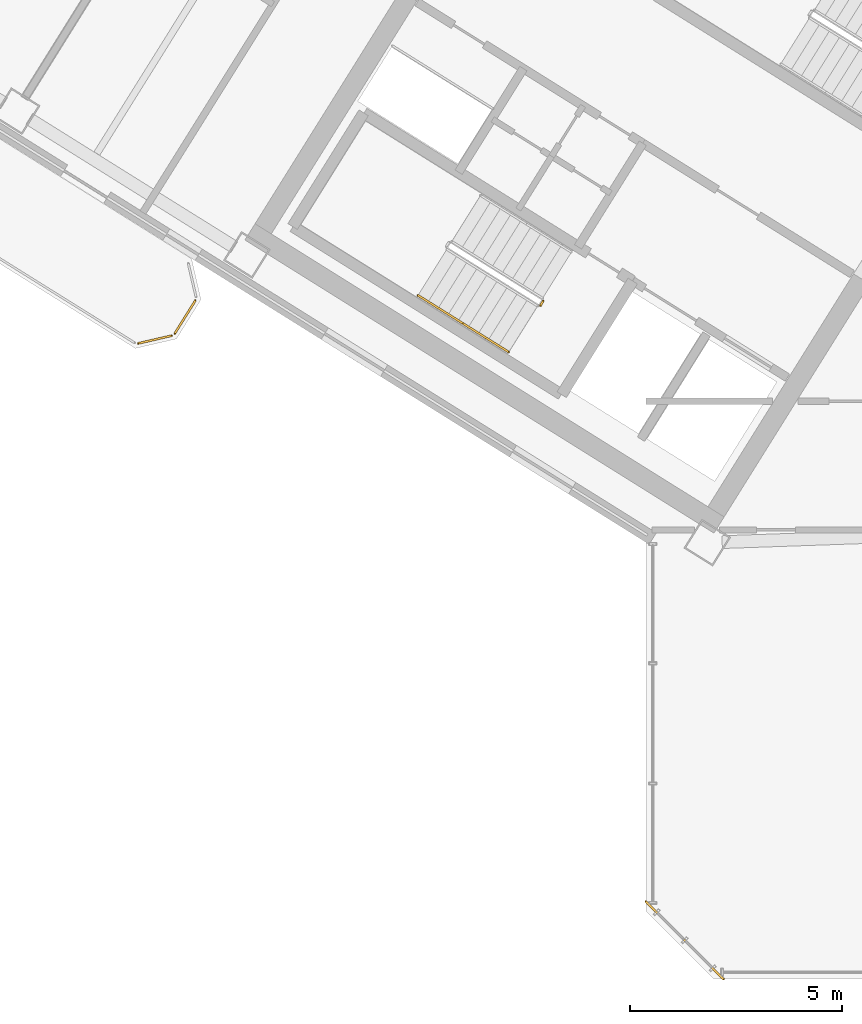
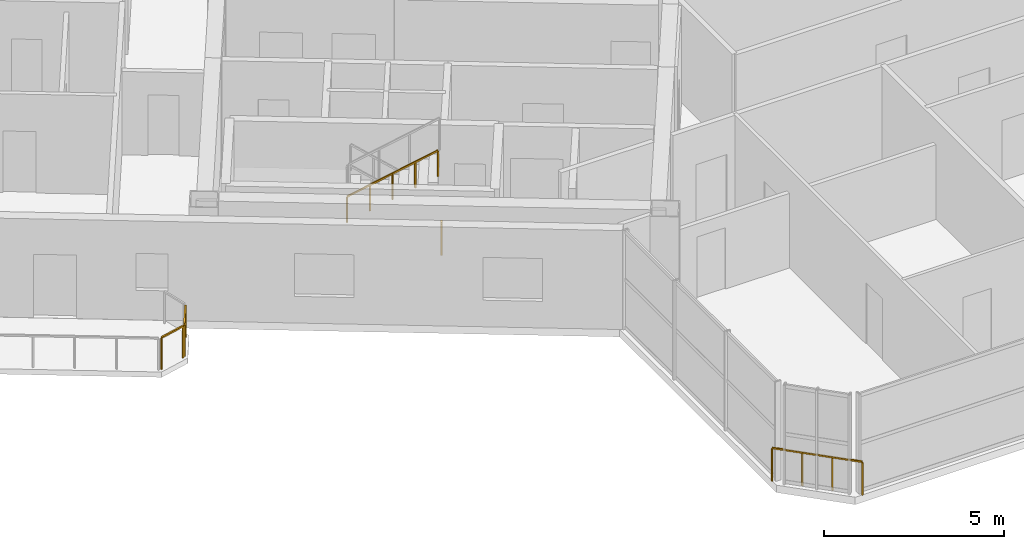
# One storey, part 17 of 21: 6 railings.
"""IFC4 building model written with IfcOpenShell, lengths in metres."""

from ifc_helpers import new_model, si_unit, direction, frame, origin, origin_2d, place, context, subcontext, project, spatial, rectangle, extrude, source, transform, mapped, material, type_object, element, save


model = new_model("IFC4")

# Units and contexts
model_context = context("Model", 3, precision=1e-05, world=origin(), true_north=direction((0.0, 1.0)))
body_context = subcontext(model_context, "Body", "Model", "MODEL_VIEW")
ifc_project = project(units=[si_unit("LENGTHUNIT", "METRE"), si_unit("AREAUNIT", "SQUARE_METRE"), si_unit("VOLUMEUNIT", "CUBIC_METRE"), si_unit("PLANEANGLEUNIT", "RADIAN"), si_unit("MASSUNIT", "GRAM", prefix="KILO")], contexts=[model_context])

# Site, building, storey
site_placement = place(None, origin())
site = spatial("IfcSite", under=ifc_project, at=site_placement, CompositionType="ELEMENT")
building_placement = place(site_placement, origin())
building = spatial("IfcBuilding", under=site, at=building_placement, Name="Tlacorven Tower", CompositionType="ELEMENT")
storey_placement = place(building_placement, frame((0.0, 0.0, 222.0)))
storey = spatial("IfcBuildingStorey", under=building, at=storey_placement, Name="L56", CompositionType="ELEMENT", Elevation=222.0)

# Railings
ifc_material = material(Name="Aluminium and painted steel balustrade", Category="steel")
railing_type_1 = type_object("IfcRailingType", Name="RL-BAL-1100", PredefinedType="BALUSTRADE", material=ifc_material)
shared_shape_1 = source(origin(), body_context, "Body", "SweptSolid", [
    extrude(rectangle(XDim=0.048095703125, YDim=0.048095703125, at=origin_2d()), frame((0.0, 0.0, 1.076171875), z_axis=(-0.52987865805, -0.848073468364, 0.0), x_axis=(0.848073468364, -0.52987865805, 0.0)), (0.0, 0.0, 1.0), 0.912353515625),
    extrude(rectangle(XDim=0.0419921875, YDim=0.0419921875, at=origin_2d()), origin(), (0.0, 0.0, 1.0), 1.052001953125),
    extrude(rectangle(XDim=0.0419921875, YDim=0.0419921875, at=origin_2d()), frame((-0.4833984375, -0.773681640625, 0.0)), (0.0, 0.0, 1.0), 1.052001953125),
])
railing_1_placement = place(storey_placement, frame((20.976318359375, 17.793701171875, 0.0)))
element("IfcRailing", 1, at=railing_1_placement, inside=storey, type_object=railing_type_1, Name="BAL-L56-W-OUT Guard Railing 2", PredefinedType="BALUSTRADE", context=body_context, shape_type="MappedRepresentation", body=[
    mapped(shared_shape_1, transform((0.0, 0.0, 0.0), scale=1.0)),
])
shared_shape_2 = source(origin(), body_context, "Body", "SweptSolid", [
    extrude(rectangle(XDim=0.048095703125, YDim=0.048095703125, at=origin_2d()), frame((0.0, 0.0, 1.076171875), z_axis=(-0.974345290916, -0.225058334816, 0.0), x_axis=(0.225058334816, -0.974345290916, 0.0)), (0.0, 0.0, 1.0), 0.80712890625),
    extrude(rectangle(XDim=0.0419921875, YDim=0.0419921875, at=origin_2d()), origin(), (0.0, 0.0, 1.0), 1.052001953125),
    extrude(rectangle(XDim=0.0419921875, YDim=0.0419921875, at=origin_2d()), frame((-0.786376953125, -0.181640625, 0.0)), (0.0, 0.0, 1.0), 1.052001953125),
])
railing_2_placement = place(storey_placement, frame((20.417724609375, 16.966552734375, 0.0)))
element("IfcRailing", 2, at=railing_2_placement, inside=storey, type_object=railing_type_1, Name="BAL-L56-W-OUT Guard Railing 3", PredefinedType="BALUSTRADE", context=body_context, shape_type="MappedRepresentation", body=[
    mapped(shared_shape_2, transform((0.0, 0.0, 0.0), scale=1.0)),
])
railing_type_2 = type_object("IfcRailingType", Name="RL-GRD-1150", PredefinedType="GUARDRAIL", material=ifc_material)
shared_shape_3 = source(origin(), body_context, "Body", "SweptSolid", [
    extrude(rectangle(XDim=0.048095703125, YDim=0.048095703125, at=origin_2d()), frame((0.0, 0.0, 1.1259765625), z_axis=(-0.707106781187, 0.707106781187, 0.0), x_axis=(-0.707106781187, -0.707106781187, 0.0)), (0.0, 0.0, 1.0), 2.590087890625),
    extrude(rectangle(XDim=0.0419921875, YDim=0.0419921875, at=origin_2d()), origin(), (0.0, 0.0, 1.0), 1.101806640625),
    extrude(rectangle(XDim=0.0419921875, YDim=0.0419921875, at=origin_2d()), frame((-0.610595703125, 0.610595703125, 0.0)), (0.0, 0.0, 1.0), 1.101806640625),
    extrude(rectangle(XDim=0.0419921875, YDim=0.0419921875, at=origin_2d()), frame((-1.220947265625, 1.220947265625, 0.0)), (0.0, 0.0, 1.0), 1.101806640625),
    extrude(rectangle(XDim=0.0419921875, YDim=0.0419921875, at=origin_2d()), frame((-1.83154296875, 1.83154296875, 0.0)), (0.0, 0.0, 1.0), 1.101806640625),
])
railing_3_placement = place(storey_placement, frame((33.428955078125, 1.79736328125, 0.0)))
element("IfcRailing", 3, at=railing_3_placement, inside=storey, type_object=railing_type_2, Name="L56 Knuckle Glazed Sill Guard 1", PredefinedType="GUARDRAIL", context=body_context, shape_type="MappedRepresentation", body=[
    mapped(shared_shape_3, transform((0.0, 0.0, 0.0), scale=1.0)),
])
railing_type_3 = type_object("IfcRailingType", Name="RL-GRD-1100", PredefinedType="GUARDRAIL", material=ifc_material)
shared_shape_4 = source(origin(), body_context, "Body", "SweptSolid", [
    extrude(rectangle(XDim=0.048095703125, YDim=0.048095703125, at=origin_2d()), frame((0.0, 0.0, 1.076171875), z_axis=(-0.529084052582, -0.848569422795, 0.0), x_axis=(0.848569422795, -0.529084052582, 0.0)), (0.0, 0.0, 1.0), 0.119873046875),
    extrude(rectangle(XDim=0.0419921875, YDim=0.0419921875, at=origin_2d()), origin(), (0.0, 0.0, 1.0), 1.052001953125),
    extrude(rectangle(XDim=0.0419921875, YDim=0.0419921875, at=origin_2d()), frame((-0.0634765625, -0.101806640625, 0.0)), (0.0, 0.0, 1.0), 1.052001953125),
])
railing_4_placement = place(storey_placement, frame((29.176513671875, 17.782958984375, 0.0)))
element("IfcRailing", 4, at=railing_4_placement, inside=storey, type_object=railing_type_3, Name="L56 ST-W1 stair guard 4", PredefinedType="GUARDRAIL", context=body_context, shape_type="MappedRepresentation", body=[
    mapped(shared_shape_4, transform((0.0, 0.0, 0.0), scale=1.0)),
])
railing_type_4 = type_object("IfcRailingType", Name="RL-HND-0900", PredefinedType="HANDRAIL", material=ifc_material)
shared_shape_5 = source(origin(), body_context, "Body", "SweptSolid", [
    extrude(rectangle(XDim=0.048095703125, YDim=0.048095703125, at=origin_2d()), frame((0.0, 0.0, 0.8759765625), z_axis=(0.713359751793, -0.4457479829, 0.540764828981), x_axis=(0.529911857636, 0.848052724267, 0.0)), (0.0, 0.0, 1.0), 1.498046875),
    extrude(rectangle(XDim=0.0419921875, YDim=0.0419921875, at=origin_2d()), origin(), (0.0, 0.0, 1.0), 0.851806640625),
    extrude(rectangle(XDim=0.0419921875, YDim=0.0419921875, at=origin_2d()), frame((0.5341796875, -0.333984375, 0.405029296875)), (0.0, 0.0, 1.0), 0.851806640625),
    extrude(rectangle(XDim=0.0419921875, YDim=0.0419921875, at=origin_2d()), frame((1.068603515625, -0.667724609375, 0.81005859375)), (0.0, 0.0, 1.0), 0.851806640625),
])
railing_5_placement = place(storey_placement, frame((26.228759765625, 17.915283203125, 1.97998046875)))
element("IfcRailing", 5, at=railing_5_placement, inside=storey, type_object=railing_type_4, Name="L56 ST-W1 stair handrail 3", PredefinedType="HANDRAIL", context=body_context, shape_type="MappedRepresentation", body=[
    mapped(shared_shape_5, transform((0.0, 0.0, 0.0), scale=1.0)),
])
shared_shape_6 = source(origin(), body_context, "Body", "SweptSolid", [
    extrude(rectangle(XDim=0.048095703125, YDim=0.048095703125, at=origin_2d()), frame((0.0, 0.0, 0.8759765625), z_axis=(0.713279695859, -0.445799809912, 0.540827703579), x_axis=(0.529998940003, 0.847998304005, 0.0)), (0.0, 0.0, 1.0), 1.497802734375),
    extrude(rectangle(XDim=0.0419921875, YDim=0.0419921875, at=origin_2d()), origin(), (0.0, 0.0, 1.0), 0.851806640625),
    extrude(rectangle(XDim=0.0419921875, YDim=0.0419921875, at=origin_2d()), frame((0.5341796875, -0.333984375, 0.405029296875)), (0.0, 0.0, 1.0), 0.851806640625),
    extrude(rectangle(XDim=0.0419921875, YDim=0.0419921875, at=origin_2d()), frame((1.068359375, -0.667724609375, 0.81005859375)), (0.0, 0.0, 1.0), 0.851806640625),
])
railing_6_placement = place(storey_placement, frame((27.29736328125, 17.24755859375, 2.7900390625)))
element("IfcRailing", 6, at=railing_6_placement, inside=storey, type_object=railing_type_4, Name="L56 ST-W1 stair handrail 4", PredefinedType="HANDRAIL", context=body_context, shape_type="MappedRepresentation", body=[
    mapped(shared_shape_6, transform((0.0, 0.0, 0.0), scale=1.0)),
])

save(model, "model.ifc")
